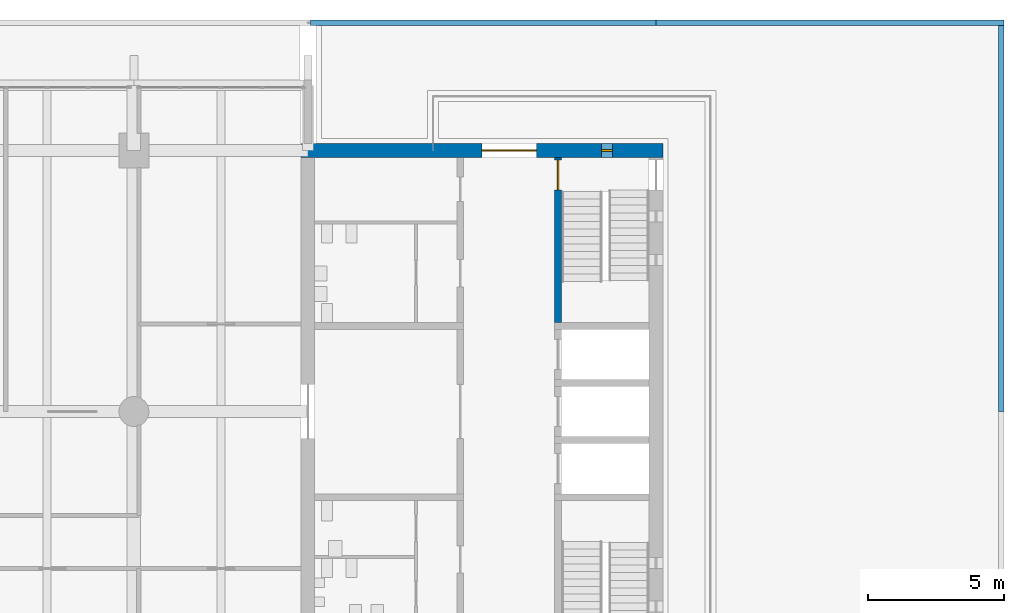
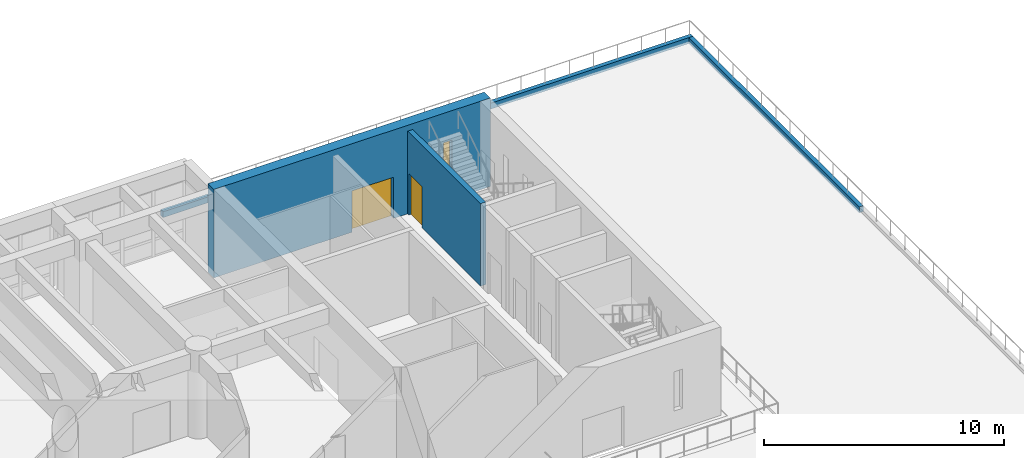
# One storey, part 15 of 21: 5 walls, 2 doors, 1 window, 3 openings.
"""IFC4 building model written with IfcOpenShell, lengths in metres."""

from ifc_helpers import new_model, si_unit, direction, frame, frame_2d, origin, place, context, subcontext, project, spatial, rectangle, extrude, material, layer, layer_set, type_object, element, fill, save


model = new_model("IFC4")

# Units and contexts
model_context = context("Model", 3, precision=1e-05, world=origin(), true_north=direction((0.0, 1.0)))
body_context = subcontext(model_context, "Body", "Model", "MODEL_VIEW")
ifc_project = project(units=[si_unit("LENGTHUNIT", "METRE"), si_unit("AREAUNIT", "SQUARE_METRE"), si_unit("VOLUMEUNIT", "CUBIC_METRE"), si_unit("PLANEANGLEUNIT", "RADIAN"), si_unit("MASSUNIT", "GRAM", prefix="KILO")], contexts=[model_context])

# Site, building, storey
site_placement = place(None, origin())
site = spatial("IfcSite", under=ifc_project, at=site_placement, CompositionType="ELEMENT")
building_placement = place(site_placement, origin())
building = spatial("IfcBuilding", under=site, at=building_placement, Name="Fogon Plaza Fire Station and Headquarters Tower", CompositionType="ELEMENT")
storey_placement = place(building_placement, frame((0.0, 0.0, 8.39990234375)))
storey = spatial("IfcBuildingStorey", under=building, at=storey_placement, Name="L02", CompositionType="ELEMENT", Elevation=8.39990234375)

# Wall, opening, door
ifc_material_1 = material(Name="Concrete C40", Category="concrete")
ifc_layer_1 = layer(ifc_material_1, 0.25)
ifc_layer_set_1 = layer_set([ifc_layer_1], Name="Concrete C40")
wall_type_1 = type_object("IfcWallType", Name="Core Wall RC 250", PredefinedType="SOLIDWALL", material=ifc_layer_set_1)
wall_1_placement = place(storey_placement, frame((73.199951171875, 46.47509765625, 0.0), z_axis=(0.0, 0.0, 1.0), x_axis=(0.0, 1.0, 0.0)))
wall_1 = element("IfcWall", 1, at=wall_1_placement, inside=storey, type_object=wall_type_1, Name="Core B shaft wall", PredefinedType="SOLIDWALL", context=body_context, shape_type="SweptSolid", body=[
    extrude(rectangle(XDim=6.074951171875, YDim=0.25, at=frame_2d((3.03759765625, 0.0))), origin(), (0.0, 0.0, 1.0), 4.2001953125),
])
opening_1_placement = place(wall_1_placement, frame((4.875, 0.0, 0.0)))
opening_1 = element("IfcOpeningElement", 2, at=opening_1_placement, cuts=wall_1, Name="Opening L02-D20", PredefinedType="OPENING", context=body_context, shape_type="SweptSolid", body=[
    extrude(rectangle(XDim=1.10009765625, YDim=2.10009765625, at=frame_2d((0.550048828125, 1.050048828125))), frame((0.0, 0.135009765625, 0.0), z_axis=(0.0, -1.0, 0.0), x_axis=(1.0, 0.0, 0.0)), (0.0, 0.0, 1.0), 0.27001953125),
])
ifc_material_2 = material(Name="Steel Fire Door Leaf", Category="steel")
door_type_1 = type_object("IfcDoorType", Name="Stair Door Single 1100x2100", OperationType="SINGLE_SWING_LEFT", PredefinedType="DOOR", material=ifc_material_2)
door_1_placement = place(opening_1_placement, frame((1.10009765625, 0.0, 0.0), z_axis=(0.0, 0.0, 1.0), x_axis=(-1.0, 0.0, 0.0)))
door_1 = element("IfcDoor", 3, at=door_1_placement, inside=storey, type_object=door_type_1, Name="Stair door ST4", OperationType="SINGLE_SWING_LEFT", OverallHeight=2.10009765625, OverallWidth=1.10009765625, PredefinedType="DOOR", context=body_context, shape_type="SweptSolid", body=[
    extrude(rectangle(XDim=1.10009765625, YDim=2.10009765625, at=frame_2d((0.550048828125, 1.050048828125))), frame((0.0, 0.02490234375, 0.0), z_axis=(0.0, -1.0, 0.0), x_axis=(1.0, 0.0, 0.0)), (0.0, 0.0, 1.0), 0.050048828125),
])
fill(opening_1, door_1)

# Wall, openings, door, window
ifc_material_3 = material(Name="Concrete C40", Category="concrete")
ifc_layer_2 = layer(ifc_material_3, 0.5)
ifc_layer_set_2 = layer_set([ifc_layer_2], Name="Concrete C40")
wall_type_2 = type_object("IfcWallType", Name="Shear wall 500 SW50", PredefinedType="SHEAR", material=ifc_layer_set_2)
wall_2_placement = place(storey_placement, frame((63.75, 52.800048828125, 0.0), z_axis=(0.0, 0.0, 1.0), x_axis=(1.0, 0.0, 0.0)))
wall_2 = element("IfcWall", 4, at=wall_2_placement, inside=storey, type_object=wall_type_2, Name="wall-coreB-N-L02", PredefinedType="SHEAR", context=body_context, shape_type="SweptSolid", body=[
    extrude(rectangle(XDim=13.300048828125, YDim=0.5, at=frame_2d((6.64990234375, 0.0))), origin(), (0.0, 0.0, 1.0), 4.5),
])
opening_2_placement = place(wall_2_placement, frame((11.050048828125, 0.0, 1.0)))
opening_2 = element("IfcOpeningElement", 5, at=opening_2_placement, cuts=wall_2, Name="Opening WS1", PredefinedType="OPENING", context=body_context, shape_type="SweptSolid", body=[
    extrude(rectangle(XDim=0.39990234375, YDim=2.0, at=frame_2d((0.199951171875, 1.0))), frame((0.0, 0.260009765625, 0.0), z_axis=(0.0, -1.0, 0.0), x_axis=(1.0, 0.0, 0.0)), (0.0, 0.0, 1.0), 0.52001953125),
])
opening_3_placement = place(wall_2_placement, frame((6.64990234375, 0.0, 0.0)))
opening_3 = element("IfcOpeningElement", 6, at=opening_3_placement, cuts=wall_2, Name="Opening L02-D34", PredefinedType="OPENING", context=body_context, shape_type="SweptSolid", body=[
    extrude(rectangle(XDim=2.0, YDim=2.10009765625, at=frame_2d((1.0, 1.050048828125))), frame((0.0, 0.260009765625, 0.0), z_axis=(0.0, -1.0, 0.0), x_axis=(1.0, 0.0, 0.0)), (0.0, 0.0, 1.0), 0.52001953125),
])
ifc_material_4 = material(Name="Steel Fire Door Leaf", Category="steel")
door_type_2 = type_object("IfcDoorType", Name="Core Lobby Double 2000x2100", OperationType="DOUBLE_DOOR_SINGLE_SWING", PredefinedType="DOOR", material=ifc_material_4)
door_2_placement = place(opening_3_placement, origin())
door_2 = element("IfcDoor", 7, at=door_2_placement, inside=storey, type_object=door_type_2, Name="Core B lobby door N", OperationType="DOUBLE_DOOR_SINGLE_SWING", OverallHeight=2.10009765625, OverallWidth=2.0, PredefinedType="DOOR", context=body_context, shape_type="SweptSolid", body=[
    extrude(rectangle(XDim=2.0, YDim=2.10009765625, at=frame_2d((1.0, 1.050048828125))), frame((0.0, 0.02490234375, 0.0), z_axis=(0.0, -1.0, 0.0), x_axis=(1.0, 0.0, 0.0)), (0.0, 0.0, 1.0), 0.050048828125),
])
fill(opening_3, door_2)
ifc_material_5 = material(Name="Aluminium framed double glazing", Category="aluminium")
window_type = type_object("IfcWindowType", Name="Slit Window WS1 400x2000", PartitioningType="SINGLE_PANEL", PredefinedType="WINDOW", material=ifc_material_5)
window_placement = place(opening_2_placement, origin())
window = element("IfcWindow", 8, at=window_placement, inside=storey, type_object=window_type, Name="Slit window B6 L02", OverallHeight=2.0, OverallWidth=0.39990234375, PartitioningType="SINGLE_PANEL", PredefinedType="WINDOW", context=body_context, shape_type="SweptSolid", body=[
    extrude(rectangle(XDim=0.39990234375, YDim=2.0, at=frame_2d((0.199951171875, 1.0))), frame((0.0, 0.030029296875, 0.0), z_axis=(0.0, -1.0, 0.0), x_axis=(1.0, 0.0, 0.0)), (0.0, 0.0, 1.0), 0.06005859375),
])
fill(opening_2, window)

# Walls
ifc_material_6 = material(Name="Concrete C40", Category="concrete")
ifc_layer_3 = layer(ifc_material_6, 0.199951171875)
ifc_layer_set_3 = layer_set([ifc_layer_3], Name="Concrete C40")
wall_type_3 = type_object("IfcWallType", Name="Upstand Kerb RC 200x300", PredefinedType="PARAPET", material=ifc_layer_set_3)
wall_3_placement = place(storey_placement, frame((89.5, 43.199951171875, 0.0), z_axis=(0.0, 0.0, 1.0), x_axis=(0.0, 1.0, 0.0)))
element("IfcWall", 9, at=wall_3_placement, inside=storey, type_object=wall_type_3, Name="wall-L02-UKE008", PredefinedType="PARAPET", context=body_context, shape_type="SweptSolid", body=[
    extrude(rectangle(XDim=14.300048828125, YDim=0.199951171875, at=frame_2d((7.14990234375, 0.0))), origin(), (0.0, 0.0, 1.0), 0.300048828125),
])
wall_4_placement = place(storey_placement, frame((89.60009765625, 57.5, 0.0), z_axis=(0.0, 0.0, 1.0), x_axis=(-1.0, 0.0, 0.0)))
element("IfcWall", 10, at=wall_4_placement, inside=storey, type_object=wall_type_3, Name="wall-L02-UKE009", PredefinedType="PARAPET", context=body_context, shape_type="SweptSolid", body=[
    extrude(rectangle(XDim=12.800048828125, YDim=0.199951171875, at=frame_2d((6.39990234375, 0.0))), origin(), (0.0, 0.0, 1.0), 0.300048828125),
])
wall_5_placement = place(storey_placement, frame((76.800048828125, 57.5, 0.0), z_axis=(0.0, 0.0, 1.0), x_axis=(-1.0, 0.0, 0.0)))
element("IfcWall", 11, at=wall_5_placement, inside=storey, type_object=wall_type_3, Name="wall-L02-UKE010", PredefinedType="PARAPET", context=body_context, shape_type="SweptSolid", body=[
    extrude(rectangle(XDim=12.699951171875, YDim=0.199951171875, at=frame_2d((6.35009765625, 0.0))), origin(), (0.0, 0.0, 1.0), 0.300048828125),
])

save(model, "model.ifc")
